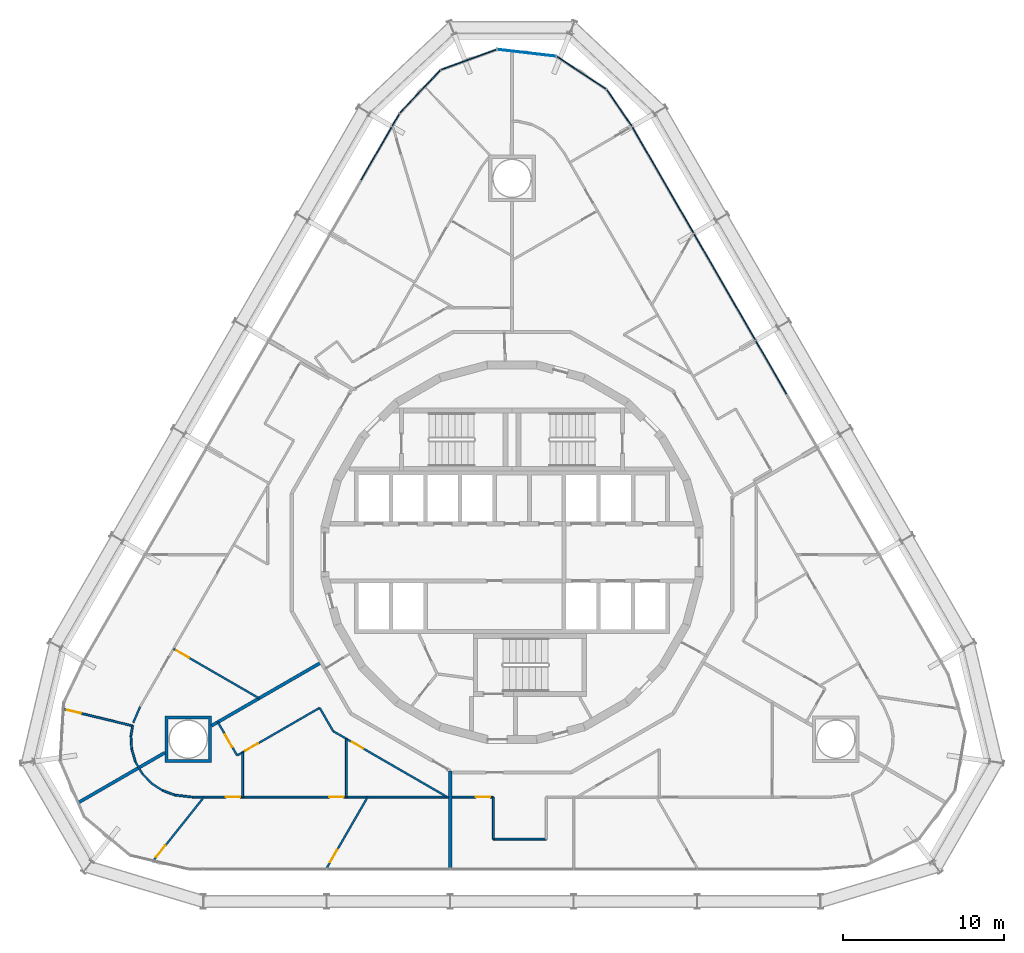
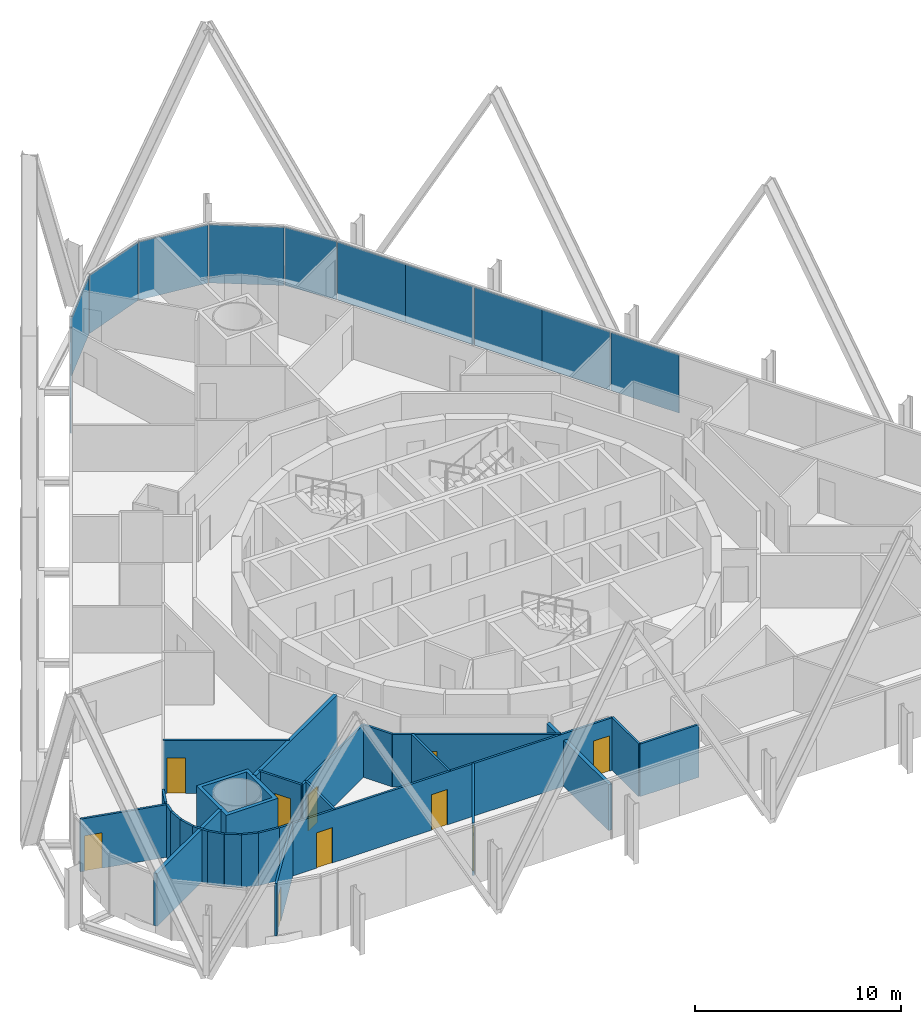
# One storey, part 14 of 21: 26 walls, 12 plates, 10 doors, 10 openings, 3 elements without a shape of their own.
"""IFC4 building model written with IfcOpenShell, lengths in metres."""

import ifcopenshell
import ifcopenshell.guid

model = None  # the IFC model being written
_history = None  # IfcOwnerHistory: only IFC2X3 demands one
_inside = {}  # id of a spatial element -> (the spatial element, [elements in it])
_under = {}  # id of a project, library or spatial element -> (it, [spatial elements below it])
_declared = {}  # id of a project -> (the project, [libraries it declares])
_typed = {}  # id of a type object -> (the type object, [elements of that type])
_made_of = {}  # id of a material, layer set ... -> (it, [elements and type objects made of it])


def new_model(schema):
    """Start an empty IFC model of exactly this schema.

    Asked for "IFC4X3", IfcOpenShell would pick the latest addendum, in which some entities
    have other attributes; the version numbers below select the first issue.
    IFC2X3 requires an IfcOwnerHistory on every rooted entity: one is made here for all.
    """
    global model, _history
    if schema == "IFC4X3":
        model = ifcopenshell.file(schema_version=(4, 3, 0, 0))
    else:
        model = ifcopenshell.file(schema=schema)
    _inside.clear()
    _under.clear()
    _declared.clear()
    _typed.clear()
    _made_of.clear()
    _history = None
    if model.schema == "IFC2X3":
        org = make("IfcOrganization", Name="unknown")
        user = make(
            "IfcPersonAndOrganization",
            ThePerson=make("IfcPerson", FamilyName="unknown"),
            TheOrganization=org,
        )
        app = make(
            "IfcApplication",
            ApplicationDeveloper=org,
            Version="unknown",
            ApplicationFullName="unknown",
            ApplicationIdentifier="unknown",
        )
        _history = make(
            "IfcOwnerHistory",
            OwningUser=user,
            OwningApplication=app,
            ChangeAction="ADDED",
            CreationDate=0,
        )
    return model


def make(cls, **values):
    """One entity of the class cls with the attributes given. An attribute that is None is left unset."""
    return model.create_entity(
        cls, **{name: value for name, value in values.items() if value is not None}
    )


def rooted(cls, **values):
    """An entity with a GlobalId (a new one), such as an element, a storey or a relation."""
    return make(cls, GlobalId=ifcopenshell.guid.new(), OwnerHistory=_history, **values)


def si_unit(unit_type, name, prefix=None):
    """IfcSIUnit, for example si_unit("LENGTHUNIT", "METRE", prefix="MILLI")."""
    return make("IfcSIUnit", UnitType=unit_type, Prefix=prefix, Name=name)


def assignment(units):
    """IfcUnitAssignment: the units of a project."""
    return None if units is None else make("IfcUnitAssignment", Units=units)


def point(xyz):
    """IfcCartesianPoint."""
    return None if xyz is None else make("IfcCartesianPoint", Coordinates=xyz)


def direction(xyz):
    """IfcDirection."""
    return None if xyz is None else make("IfcDirection", DirectionRatios=xyz)


def frame(location, z_axis=None, x_axis=None):
    """IfcAxis2Placement3D, a coordinate frame: its origin and axes. An axis left out is left unset."""
    return make(
        "IfcAxis2Placement3D",
        Location=point(location),
        Axis=direction(z_axis),
        RefDirection=direction(x_axis),
    )


def frame_2d(location, x_axis=None):
    """IfcAxis2Placement2D, a coordinate frame in the plane: its origin and x axis."""
    return make(
        "IfcAxis2Placement2D", Location=point(location), RefDirection=direction(x_axis)
    )


def origin():
    """The frame at (0, 0, 0) with its axes left unset."""
    return frame((0.0, 0.0, 0.0))


def origin_2d():
    """The frame at (0, 0) in the plane with its x axis left unset."""
    return frame_2d((0.0, 0.0))


def place(relative_to, where):
    """IfcLocalPlacement: puts the frame where relative to a parent placement (None: the world)."""
    return make(
        "IfcLocalPlacement", PlacementRelTo=relative_to, RelativePlacement=where
    )


def context(
    kind, dimensions, precision=None, world=None, true_north=None, identifier=None
):
    """IfcGeometricRepresentationContext, for example the 3D "Model" context."""
    return make(
        "IfcGeometricRepresentationContext",
        ContextIdentifier=identifier,
        ContextType=kind,
        CoordinateSpaceDimension=dimensions,
        Precision=precision,
        WorldCoordinateSystem=world,
        TrueNorth=true_north,
    )


def subcontext(parent, identifier, kind, view, scale=None):
    """IfcGeometricRepresentationSubContext, for example "Body" below "Model"."""
    return make(
        "IfcGeometricRepresentationSubContext",
        ContextIdentifier=identifier,
        ContextType=kind,
        ParentContext=parent,
        TargetScale=scale,
        TargetView=view,
    )


def project(units=None, contexts=None):
    """IfcProject with its units and contexts."""
    return rooted(
        "IfcProject",
        Name="project",
        RepresentationContexts=contexts,
        UnitsInContext=assignment(units),
    )


def spatial(cls, under=None, at=None, **own):
    """A site, building, storey or space (cls), placed at a placement, below another one or the project."""
    s = rooted(cls, ObjectPlacement=at, **own)
    if under is not None:
        _under.setdefault(under.id(), (under, []))[1].append(s)
    return s


def polyline(points):
    """IfcPolyline through the points."""
    return make("IfcPolyline", Points=[point(p) for p in points])


def profile(cls, at=None, kind="AREA", **sizes):
    """A parametric profile (cls). Its sizes go by their IFC names, for example OverallWidth=200.0."""
    return make(cls, ProfileType=kind, Position=at, **sizes)


def rectangle(**sizes):
    """IfcRectangleProfileDef."""
    return profile("IfcRectangleProfileDef", **sizes)


def outline(outer, holes=None, kind="AREA"):
    """IfcArbitraryClosedProfileDef: a profile drawn as a closed curve; with holes, ...WithVoids."""
    if holes is None:
        return make("IfcArbitraryClosedProfileDef", ProfileType=kind, OuterCurve=outer)
    return make(
        "IfcArbitraryProfileDefWithVoids",
        ProfileType=kind,
        OuterCurve=outer,
        InnerCurves=holes,
    )


def extrude(swept, where, along, depth):
    """IfcExtrudedAreaSolid: the profile swept, set in the frame where, extruded along a direction by depth."""
    return make(
        "IfcExtrudedAreaSolid",
        SweptArea=swept,
        Position=where,
        ExtrudedDirection=direction(along),
        Depth=depth,
    )


def shape(context_of_items, identifier, shape_type, items):
    """IfcShapeRepresentation: the items that make up one representation, for example the "Body"."""
    return make(
        "IfcShapeRepresentation",
        ContextOfItems=context_of_items,
        RepresentationIdentifier=identifier,
        RepresentationType=shape_type,
        Items=items,
    )


def material(Name=None, Category=None):
    """IfcMaterial."""
    return make("IfcMaterial", Name=Name, Category=Category)


def layer(
    of_material, thickness, ventilated=None, Name=None, Category=None, Priority=None
):
    """IfcMaterialLayer: one layer of a wall or slab, of a material (None: an air gap)."""
    return make(
        "IfcMaterialLayer",
        Material=of_material,
        LayerThickness=thickness,
        IsVentilated=ventilated,
        Name=Name,
        Category=Category,
        Priority=Priority,
    )


def layer_set(layers, Name=None):
    """IfcMaterialLayerSet."""
    return make("IfcMaterialLayerSet", MaterialLayers=layers, LayerSetName=Name)


def made_of(thing, what):
    """Note that an element or type object is made of a material, layer set ...; save() writes the relation."""
    if what is not None:
        _made_of.setdefault(what.id(), (what, []))[1].append(thing)
    return thing


def type_object(cls, material=None, **own):
    """A type object (cls), such as IfcWallType, which elements share."""
    return made_of(rooted(cls, **own), material)


def element(
    cls,
    number,
    at=None,
    inside=None,
    cuts=None,
    type_object=None,
    material=None,
    context=None,
    identifier="Body",
    shape_type=None,
    held_by="IfcProductDefinitionShape",
    body=None,
    shapes=None,
    **own,
):
    """One element of the class cls, such as IfcWall. Its Tag is "e" and its number.

    at: its placement. inside: the storey or other place that contains it. cuts: it is an
    opening in that element (IfcRelVoidsElement). A single representation is given by context,
    identifier, shape_type and body (its items); several are given by shapes. held_by: the class
    of the entity that holds the representations. save() writes the other relations.
    """
    e = rooted(cls, Tag="e%d" % number, ObjectPlacement=at, **own)
    if body is not None:
        shapes = [shape(context, identifier, shape_type, body)]
    if shapes is not None:
        e.Representation = make(held_by, Representations=shapes)
    if inside is not None:
        _inside.setdefault(inside.id(), (inside, []))[1].append(e)
    if cuts is not None:
        rooted(
            "IfcRelVoidsElement", RelatingBuildingElement=cuts, RelatedOpeningElement=e
        )
    if type_object is not None:
        _typed.setdefault(type_object.id(), (type_object, []))[1].append(e)
    return made_of(e, material)


def fill(opening, filler):
    """IfcRelFillsElement: the door or window that sits in an opening."""
    return rooted(
        "IfcRelFillsElement",
        RelatingOpeningElement=opening,
        RelatedBuildingElement=filler,
    )


def aggregate(whole, parts):
    """IfcRelAggregates: a whole, such as a stair, and the parts it consists of."""
    return rooted("IfcRelAggregates", RelatingObject=whole, RelatedObjects=parts)


def save(model, path):
    """Write the relations noted so far, then the file.

    IfcRelAggregates (storeys below a building ...), IfcRelContainedInSpatialStructure (elements
    in a storey), IfcRelDefinesByType, IfcRelAssociatesMaterial and IfcRelDeclares: one each for
    every whole, place, type object, material and project.
    """
    for whole, parts in _under.values():
        aggregate(whole, parts)
    for where, things in _inside.values():
        rooted(
            "IfcRelContainedInSpatialStructure",
            RelatedElements=things,
            RelatingStructure=where,
        )
    for kind, things in _typed.values():
        rooted("IfcRelDefinesByType", RelatedObjects=things, RelatingType=kind)
    for what, things in _made_of.values():
        rooted("IfcRelAssociatesMaterial", RelatedObjects=things, RelatingMaterial=what)
    for by, libraries in _declared.values():
        rooted("IfcRelDeclares", RelatingContext=by, RelatedDefinitions=libraries)
    model.write(path)


model = new_model("IFC4")

# Units and contexts
model_context = context("Model", 3, precision=1e-05, world=origin(), true_north=direction((0.0, 1.0)))
body_context = subcontext(model_context, "Body", "Model", "MODEL_VIEW")
ifc_project = project(units=[si_unit("LENGTHUNIT", "METRE"), si_unit("AREAUNIT", "SQUARE_METRE"), si_unit("VOLUMEUNIT", "CUBIC_METRE"), si_unit("PLANEANGLEUNIT", "RADIAN"), si_unit("MASSUNIT", "GRAM", prefix="KILO")], contexts=[model_context])

# Site, building, storey
site_placement = place(None, origin())
site = spatial("IfcSite", under=ifc_project, at=site_placement, CompositionType="ELEMENT")
building_placement = place(site_placement, origin())
building = spatial("IfcBuilding", under=site, at=building_placement, Name="Spindle Arch Residences", CompositionType="ELEMENT")
storey_placement = place(building_placement, frame((0.0, 0.0, 38.39990234375)))
storey = spatial("IfcBuildingStorey", under=building, at=storey_placement, Name="L07", CompositionType="ELEMENT", Elevation=38.39990234375)

# Curtain wall, plates
ifc_material_1 = material(Name="Aluminium bronze unitised frame with tinted glass", Category="aluminium")
ifc_layer_1 = layer(ifc_material_1, 0.159912109375)
ifc_layer_set_1 = layer_set([ifc_layer_1], Name="CW-C typical residential unitised wall")
curtain_wall_type_1 = type_object("IfcCurtainWallType", Name="CW-C typical residential unitised wall", PredefinedType="NOTDEFINED", material=ifc_layer_set_1)
curtain_wall_1_placement = place(storey_placement, origin())
curtain_wall_1 = element("IfcCurtainWall", 1, at=curtain_wall_1_placement, inside=storey, type_object=curtain_wall_type_1, Name="CW-C L07 run 2", PredefinedType="NOTDEFINED")
ifc_material_2 = material(Name="Tinted double glazing over aluminium faced non-combustible spandrel zone (K0)", Category="aluminium")
ifc_layer_2 = layer(ifc_material_2, 0.06005859375)
ifc_layer_set_2 = layer_set([ifc_layer_2], Name="Unitised glass panel with E 60 spandrel zone")
plate_type = type_object("IfcPlateType", Name="Unitised glass panel with E 60 spandrel zone", PredefinedType="CURTAIN_PANEL", material=ifc_layer_set_2)
plate_1_placement = place(storey_placement, frame((16.11669921875, 11.504638671875, -0.44970703125), z_axis=(0.0, 0.0, 1.0), x_axis=(-0.5, 0.866025403784, 0.0)))
plate_1 = element("IfcPlate", 2, at=plate_1_placement, type_object=plate_type, Name="CW-C unit 07B", PredefinedType="CURTAIN_PANEL", context=body_context, shape_type="SweptSolid", body=[
    extrude(rectangle(XDim=3.81005859375, YDim=0.06005859375, at=origin_2d()), origin(), (0.0, 0.0, 1.0), 3.449951171875),
])
plate_2_placement = place(storey_placement, frame((14.181640625, 14.856201171875, -0.44970703125), z_axis=(0.0, 0.0, 1.0), x_axis=(-0.5, 0.866025403784, 0.0)))
plate_2 = element("IfcPlate", 3, at=plate_2_placement, type_object=plate_type, Name="CW-C unit 08A", PredefinedType="CURTAIN_PANEL", context=body_context, shape_type="SweptSolid", body=[
    extrude(rectangle(XDim=3.81005859375, YDim=0.06005859375, at=origin_2d()), origin(), (0.0, 0.0, 1.0), 3.449951171875),
])
plate_3_placement = place(storey_placement, frame((12.27685546875, 18.156005859375, -0.44970703125), z_axis=(0.0, 0.0, 1.0), x_axis=(-0.5, 0.866025403784, 0.0)))
plate_3 = element("IfcPlate", 4, at=plate_3_placement, type_object=plate_type, Name="CW-C unit 08B", PredefinedType="CURTAIN_PANEL", context=body_context, shape_type="SweptSolid", body=[
    extrude(rectangle(XDim=3.81005859375, YDim=0.06005859375, at=origin_2d()), origin(), (0.0, 0.0, 1.0), 3.449951171875),
])
plate_4_placement = place(storey_placement, frame((10.341796875, 21.50732421875, -0.44970703125), z_axis=(0.0, 0.0, 1.0), x_axis=(-0.5, 0.866025403784, 0.0)))
plate_4 = element("IfcPlate", 5, at=plate_4_placement, type_object=plate_type, Name="CW-C unit 09A", PredefinedType="CURTAIN_PANEL", context=body_context, shape_type="SweptSolid", body=[
    extrude(rectangle(XDim=3.81005859375, YDim=0.06005859375, at=origin_2d()), origin(), (0.0, 0.0, 1.0), 3.449951171875),
])
plate_5_placement = place(storey_placement, frame((8.436767578125, 24.80712890625, -0.44970703125), z_axis=(0.0, 0.0, 1.0), x_axis=(-0.5, 0.866025403784, 0.0)))
plate_5 = element("IfcPlate", 6, at=plate_5_placement, type_object=plate_type, Name="CW-C unit 09B", PredefinedType="CURTAIN_PANEL", context=body_context, shape_type="SweptSolid", body=[
    extrude(rectangle(XDim=3.81005859375, YDim=0.06005859375, at=origin_2d()), origin(), (0.0, 0.0, 1.0), 3.449951171875),
])
aggregate(curtain_wall_1, [plate_1, plate_2, plate_3, plate_4, plate_5])

ifc_material_3 = material(Name="Aluminium bronze unitised frame with tinted glass", Category="aluminium")
ifc_layer_3 = layer(ifc_material_3, 0.159912109375)
ifc_layer_set_3 = layer_set([ifc_layer_3], Name="CW-D corner wall on the fillet arcs")
curtain_wall_type_2 = type_object("IfcCurtainWallType", Name="CW-D corner wall on the fillet arcs", PredefinedType="NOTDEFINED", material=ifc_layer_set_3)
curtain_wall_2_placement = place(storey_placement, origin())
curtain_wall_2 = element("IfcCurtainWall", 7, at=curtain_wall_2_placement, inside=storey, type_object=curtain_wall_type_2, Name="CW-D L07 run 3", PredefinedType="NOTDEFINED")
plate_6_placement = place(storey_placement, frame((6.673095703125, 27.643798828125, -0.44970703125), z_axis=(0.0, 0.0, 1.0), x_axis=(-0.565500718711, 0.824747802142, 0.0)))
plate_6 = element("IfcPlate", 8, at=plate_6_placement, type_object=plate_type, Name="CW-D unit 00", PredefinedType="CURTAIN_PANEL", context=body_context, shape_type="SweptSolid", body=[
    extrude(rectangle(XDim=2.755126953125, YDim=0.06005859375, at=origin_2d()), origin(), (0.0, 0.0, 1.0), 3.449951171875),
])
plate_7_placement = place(storey_placement, frame((4.3203125, 29.82861328125, -0.44970703125), z_axis=(0.0, 0.0, 1.0), x_axis=(-0.835487811704, 0.549508977628, 0.0)))
plate_7 = element("IfcPlate", 9, at=plate_7_placement, type_object=plate_type, Name="CW-D unit 01", PredefinedType="CURTAIN_PANEL", context=body_context, shape_type="SweptSolid", body=[
    extrude(rectangle(XDim=3.666748046875, YDim=0.06005859375, at=origin_2d()), origin(), (0.0, 0.0, 1.0), 3.449951171875),
])
plate_8_placement = place(storey_placement, frame((0.912841796875, 31.06884765625, -0.44970703125), z_axis=(0.0, 0.0, 1.0), x_axis=(-0.993238357591, 0.116092915414, 0.0)))
plate_8 = element("IfcPlate", 10, at=plate_8_placement, type_object=plate_type, Name="CW-D unit 02", PredefinedType="CURTAIN_PANEL", context=body_context, shape_type="SweptSolid", body=[
    extrude(rectangle(XDim=3.666748046875, YDim=0.06005859375, at=origin_2d()), origin(), (0.0, 0.0, 1.0), 3.449951171875),
])
plate_9_placement = place(storey_placement, frame((-2.68896484375, 30.64794921875, -0.44970703125), z_axis=(0.0, 0.0, 1.0), x_axis=(-0.939692621437, -0.342020141538, 0.0)))
plate_9 = element("IfcPlate", 11, at=plate_9_placement, type_object=plate_type, Name="CW-D unit 03", PredefinedType="CURTAIN_PANEL", context=body_context, shape_type="SweptSolid", body=[
    extrude(rectangle(XDim=3.666748046875, YDim=0.06005859375, at=origin_2d()), origin(), (0.0, 0.0, 1.0), 3.449951171875),
])
plate_10_placement = place(storey_placement, frame((-5.71875, 28.6552734375, -0.44970703125), z_axis=(0.0, 0.0, 1.0), x_axis=(-0.686241639236, -0.727373640284, 0.0)))
plate_10 = element("IfcPlate", 12, at=plate_10_placement, type_object=plate_type, Name="CW-D unit 04", PredefinedType="CURTAIN_PANEL", context=body_context, shape_type="SweptSolid", body=[
    extrude(rectangle(XDim=3.666748046875, YDim=0.06005859375, at=origin_2d()), origin(), (0.0, 0.0, 1.0), 3.449951171875),
])
plate_11_placement = place(storey_placement, frame((-7.2333984375, 26.891357421875, -0.44970703125), z_axis=(0.0, 0.0, 1.0), x_axis=(-0.5, -0.866025403784, 0.0)))
plate_11 = element("IfcPlate", 13, at=plate_11_placement, type_object=plate_type, Name="CW-D unit 05", PredefinedType="CURTAIN_PANEL", context=body_context, shape_type="SweptSolid", body=[
    extrude(rectangle(XDim=0.88330078125, YDim=0.06005859375, at=origin_2d()), origin(), (0.0, 0.0, 1.0), 3.449951171875),
])
aggregate(curtain_wall_2, [plate_6, plate_7, plate_8, plate_9, plate_10, plate_11])

# Curtain wall, plate
curtain_wall_3_placement = place(storey_placement, origin())
curtain_wall_3 = element("IfcCurtainWall", 14, at=curtain_wall_3_placement, inside=storey, type_object=curtain_wall_type_1, Name="CW-C L07 run 4", PredefinedType="NOTDEFINED")
plate_12_placement = place(storey_placement, frame((-8.436767578125, 24.80712890625, -0.44970703125), z_axis=(0.0, 0.0, 1.0), x_axis=(-0.5, -0.866025403784, 0.0)))
plate_12 = element("IfcPlate", 15, at=plate_12_placement, type_object=plate_type, Name="CW-C unit 13A", PredefinedType="CURTAIN_PANEL", context=body_context, shape_type="SweptSolid", body=[
    extrude(rectangle(XDim=3.81005859375, YDim=0.06005859375, at=origin_2d()), origin(), (0.0, 0.0, 1.0), 3.449951171875),
])
aggregate(curtain_wall_3, [plate_12])

# Wall, opening, door
ifc_material_4 = material(Name="Plasterboard on steel studs", Category="steel")
ifc_layer_4 = layer(ifc_material_4, 0.1201171875)
ifc_layer_set_4 = layer_set([ifc_layer_4], Name="Flat partition 120")
wall_type_1 = type_object("IfcWallType", Name="Flat partition 120", PredefinedType="PARTITIONING", material=ifc_layer_set_4)
wall_1_placement = place(storey_placement, frame((-21.05517578125, -6.0087890625, 0.0), z_axis=(0.0, 0.0, 1.0), x_axis=(0.866030172657, -0.49999173998, 0.0)))
wall_1 = element("IfcWall", 16, at=wall_1_placement, inside=storey, type_object=wall_type_1, Name="Flat partition R1A0-W063", PredefinedType="PARTITIONING", context=body_context, shape_type="SweptSolid", body=[
    extrude(rectangle(XDim=6.1474609375, YDim=0.1201171875, at=frame_2d((3.07373046875, 0.0))), origin(), (0.0, 0.0, 1.0), 3.1201171875),
])
opening_1_placement = place(wall_1_placement, frame((0.199951171875, 0.0, 0.0)))
opening_1 = element("IfcOpeningElement", 17, at=opening_1_placement, cuts=wall_1, Name="Opening R1A0-ID14", PredefinedType="OPENING", context=body_context, shape_type="SweptSolid", body=[
    extrude(rectangle(XDim=0.89990234375, YDim=2.10009765625, at=frame_2d((0.449951171875, 1.050048828125))), frame((0.0, 0.070068359375, 0.0), z_axis=(0.0, -1.0, 0.0), x_axis=(1.0, 0.0, 0.0)), (0.0, 0.0, 1.0), 0.14013671875),
])
ifc_material_5 = material(Name="Timber door set", Category="wood")
door_type_1 = type_object("IfcDoorType", Name="Room door 900x2100", OperationType="NOTDEFINED", PredefinedType="DOOR", material=ifc_material_5)
door_1_placement = place(opening_1_placement, origin())
door_1 = element("IfcDoor", 18, at=door_1_placement, inside=storey, type_object=door_type_1, Name="Room door R1A0-ID14", OperationType="SINGLE_SWING_RIGHT", OverallHeight=2.10009765625, OverallWidth=0.89990234375, PredefinedType="DOOR", context=body_context, shape_type="SweptSolid", body=[
    extrude(rectangle(XDim=0.89990234375, YDim=2.10009765625, at=frame_2d((0.449951171875, 1.050048828125))), frame((0.0, 0.02490234375, 0.0), z_axis=(0.0, -1.0, 0.0), x_axis=(1.0, 0.0, 0.0)), (0.0, 0.0, 1.0), 0.050048828125),
])
fill(opening_1, door_1)

# Wall
wall_2_placement = place(storey_placement, frame((-23.563720703125, -10.60595703125, 0.0), z_axis=(0.0, 0.0, 1.0), x_axis=(0.396195073027, 0.918166359713, 0.0)))
element("IfcWall", 19, at=wall_2_placement, inside=storey, type_object=wall_type_1, Name="Flat partition R1A0-W066", PredefinedType="PARTITIONING", context=body_context, shape_type="SweptSolid", body=[
    extrude(rectangle(XDim=1.0869140625, YDim=0.1201171875, at=frame_2d((0.54345703125, 0.0))), origin(), (0.0, 0.0, 1.0), 3.1201171875),
])

# Wall, opening, door
wall_3_placement = place(storey_placement, frame((-27.8828125, -9.76220703125, 0.0), z_axis=(0.0, 0.0, 1.0), x_axis=(0.972097015458, -0.234579181809, 0.0)))
wall_3 = element("IfcWall", 20, at=wall_3_placement, inside=storey, type_object=wall_type_1, Name="Flat partition R1A0-W067", PredefinedType="PARTITIONING", context=body_context, shape_type="SweptSolid", body=[
    extrude(rectangle(XDim=4.40869140625, YDim=0.1201171875, at=frame_2d((2.204345703125, 0.0))), origin(), (0.0, 0.0, 1.0), 3.1201171875),
])
opening_2_placement = place(wall_3_placement, frame((0.199951171875, 0.0, 0.0)))
opening_2 = element("IfcOpeningElement", 21, at=opening_2_placement, cuts=wall_3, Name="Opening R1A0-ID16", PredefinedType="OPENING", context=body_context, shape_type="SweptSolid", body=[
    extrude(rectangle(XDim=0.89990234375, YDim=2.10009765625, at=frame_2d((0.449951171875, 1.050048828125))), frame((0.0, 0.070068359375, 0.0), z_axis=(0.0, -1.0, 0.0), x_axis=(1.0, 0.0, 0.0)), (0.0, 0.0, 1.0), 0.14013671875),
])
door_2_placement = place(opening_2_placement, origin())
door_2 = element("IfcDoor", 22, at=door_2_placement, inside=storey, type_object=door_type_1, Name="Room door R1A0-ID16", OperationType="SINGLE_SWING_RIGHT", OverallHeight=2.10009765625, OverallWidth=0.89990234375, PredefinedType="DOOR", context=body_context, shape_type="SweptSolid", body=[
    extrude(rectangle(XDim=0.89990234375, YDim=2.10009765625, at=frame_2d((0.449951171875, 1.050048828125))), frame((0.0, 0.02490234375, 0.0), z_axis=(0.0, -1.0, 0.0), x_axis=(1.0, 0.0, 0.0)), (0.0, 0.0, 1.0), 0.050048828125),
])
fill(opening_2, door_2)

# Walls
wall_4_placement = place(storey_placement, frame((-23.59716796875, -10.79638671875, 0.0), z_axis=(0.0, 0.0, 1.0), x_axis=(-0.173610040386, -0.984814476882, 0.0)))
element("IfcWall", 23, at=wall_4_placement, inside=storey, type_object=wall_type_1, Name="Flat partition R1A0-W068", PredefinedType="PARTITIONING", context=body_context, shape_type="SweptSolid", body=[
    extrude(rectangle(XDim=0.6357421875, YDim=0.1201171875, at=frame_2d((0.31787109375, 0.0))), origin(), (0.0, 0.0, 1.0), 3.1201171875),
])
wall_5_placement = place(storey_placement, frame((-23.70751953125, -11.42236328125, 0.0), z_axis=(0.0, 0.0, 1.0), x_axis=(0.058031280246, -0.998314765248, 0.0)))
element("IfcWall", 24, at=wall_5_placement, inside=storey, type_object=wall_type_1, Name="Flat partition R1A0-W069", PredefinedType="PARTITIONING", context=body_context, shape_type="SweptSolid", body=[
    extrude(rectangle(XDim=0.828857421875, YDim=0.1201171875, at=frame_2d((0.41455078125, 0.0))), origin(), (0.0, 0.0, 1.0), 3.1201171875),
])
for number, where, z_axis, x_axis, name in (
    (25, (-23.659423828125, -12.249755859375, 0.0), (0.0, 0.0, 1.0), (0.286834510868, -0.957980147694, 0.0), "Flat partition R1A0-W070"),
    (26, (-23.421630859375, -13.0439453125, 0.0), (0.0, 0.0, 1.0), (0.500002839747, -0.86602376425, 0.0), "Flat partition R1A0-W071"),
):
    element("IfcWall", number, at=place(storey_placement, frame(where, z_axis=z_axis, x_axis=x_axis)), inside=storey, type_object=wall_type_1, Name=name, PredefinedType="PARTITIONING", context=body_context, shape_type="SweptSolid", body=[
        extrude(rectangle(XDim=0.8291015625, YDim=0.1201171875, at=frame_2d((0.41455078125, 0.0))), origin(), (0.0, 0.0, 1.0), 3.1201171875),
    ])

# Wall, opening, door
wall_6_placement = place(storey_placement, frame((-18.297607421875, -10.564208984375, 0.0), z_axis=(0.0, 0.0, 1.0), x_axis=(0.500048565365, -0.865997362742, 0.0)))
wall_6 = element("IfcWall", 27, at=wall_6_placement, inside=storey, type_object=wall_type_1, Name="Flat partition R1A0-W072", PredefinedType="PARTITIONING", context=body_context, shape_type="SweptSolid", body=[
    extrude(rectangle(XDim=2.397705078125, YDim=0.1201171875, at=frame_2d((1.19873046875, 0.0))), origin(), (0.0, 0.0, 1.0), 3.1201171875),
])
opening_3_placement = place(wall_6_placement, frame((0.89990234375, 0.0, 0.0)))
opening_3 = element("IfcOpeningElement", 28, at=opening_3_placement, cuts=wall_6, Name="Opening R1A0-ID18", PredefinedType="OPENING", context=body_context, shape_type="SweptSolid", body=[
    extrude(rectangle(XDim=0.89990234375, YDim=2.10009765625, at=frame_2d((0.449951171875, 1.050048828125))), frame((0.0, 0.070068359375, 0.0), z_axis=(0.0, -1.0, 0.0), x_axis=(1.0, 0.0, 0.0)), (0.0, 0.0, 1.0), 0.14013671875),
])
door_3_placement = place(opening_3_placement, origin())
door_3 = element("IfcDoor", 29, at=door_3_placement, inside=storey, type_object=door_type_1, Name="Room door R1A0-ID18", OperationType="SINGLE_SWING_LEFT", OverallHeight=2.10009765625, OverallWidth=0.89990234375, PredefinedType="DOOR", context=body_context, shape_type="SweptSolid", body=[
    extrude(rectangle(XDim=0.89990234375, YDim=2.10009765625, at=frame_2d((0.449951171875, 1.050048828125))), frame((0.0, 0.02490234375, 0.0), z_axis=(0.0, -1.0, 0.0), x_axis=(1.0, 0.0, 0.0)), (0.0, 0.0, 1.0), 0.050048828125),
])
fill(opening_3, door_3)

wall_7_placement = place(storey_placement, frame((-17.0986328125, -12.640625, 0.0), z_axis=(0.0, 0.0, 1.0), x_axis=(0.866027165828, 0.499996948039, 0.0)))
wall_7 = element("IfcWall", 30, at=wall_7_placement, inside=storey, type_object=wall_type_1, Name="Flat partition R1A0-W073", PredefinedType="PARTITIONING", context=body_context, shape_type="SweptSolid", body=[
    extrude(rectangle(XDim=5.92822265625, YDim=0.1201171875, at=frame_2d((2.964111328125, 0.0))), origin(), (0.0, 0.0, 1.0), 3.1201171875),
])
opening_4_placement = place(wall_7_placement, frame((0.59521484375, 0.0, 0.0)))
opening_4 = element("IfcOpeningElement", 31, at=opening_4_placement, cuts=wall_7, Name="Opening R1A0-ID19", PredefinedType="OPENING", context=body_context, shape_type="SweptSolid", body=[
    extrude(rectangle(XDim=0.89990234375, YDim=2.10009765625, at=frame_2d((0.449951171875, 1.050048828125))), frame((0.0, 0.070068359375, 0.0), z_axis=(0.0, -1.0, 0.0), x_axis=(1.0, 0.0, 0.0)), (0.0, 0.0, 1.0), 0.14013671875),
])
door_4_placement = place(opening_4_placement, origin())
door_4 = element("IfcDoor", 32, at=door_4_placement, inside=storey, type_object=door_type_1, Name="Room door R1A0-ID19", OperationType="SINGLE_SWING_LEFT", OverallHeight=2.10009765625, OverallWidth=0.89990234375, PredefinedType="DOOR", context=body_context, shape_type="SweptSolid", body=[
    extrude(rectangle(XDim=0.89990234375, YDim=2.10009765625, at=frame_2d((0.449951171875, 1.050048828125))), frame((0.0, 0.02490234375, 0.0), z_axis=(0.0, -1.0, 0.0), x_axis=(1.0, 0.0, 0.0)), (0.0, 0.0, 1.0), 0.050048828125),
])
fill(opening_4, door_4)

# Wall
wall_8_placement = place(storey_placement, frame((-11.964599609375, -9.676513671875, 0.0), z_axis=(0.0, 0.0, 1.0), x_axis=(0.499932737185, -0.866064234506, 0.0)))
element("IfcWall", 33, at=wall_8_placement, inside=storey, type_object=wall_type_1, Name="Flat partition R1A0-W074", PredefinedType="PARTITIONING", context=body_context, shape_type="SweptSolid", body=[
    extrude(rectangle(XDim=1.675048828125, YDim=0.1201171875, at=frame_2d((0.83740234375, 0.0))), origin(), (0.0, 0.0, 1.0), 3.1201171875),
])

# Wall, opening, door
wall_9_placement = place(storey_placement, frame((-11.127197265625, -11.127197265625, 0.0), z_axis=(0.0, 0.0, 1.0), x_axis=(0.866032360344, -0.499987950692, 0.0)))
wall_9 = element("IfcWall", 34, at=wall_9_placement, inside=storey, type_object=wall_type_1, Name="Flat partition R1A0-W075", PredefinedType="PARTITIONING", context=body_context, shape_type="SweptSolid", body=[
    extrude(rectangle(XDim=8.145751953125, YDim=0.1201171875, at=frame_2d((4.07275390625, 0.0))), origin(), (0.0, 0.0, 1.0), 3.1201171875),
])
opening_5_placement = place(wall_9_placement, frame((1.357177734375, 0.0, 0.0)))
opening_5 = element("IfcOpeningElement", 35, at=opening_5_placement, cuts=wall_9, Name="Opening R1A0-BD05", PredefinedType="OPENING", context=body_context, shape_type="SweptSolid", body=[
    extrude(rectangle(XDim=0.800048828125, YDim=2.10009765625, at=frame_2d((0.39990234375, 1.050048828125))), frame((0.0, 0.070068359375, 0.0), z_axis=(0.0, -1.0, 0.0), x_axis=(1.0, 0.0, 0.0)), (0.0, 0.0, 1.0), 0.14013671875),
])
ifc_material_6 = material(Name="Timber door set", Category="wood")
door_type_2 = type_object("IfcDoorType", Name="Bathroom door 800x2100", OperationType="NOTDEFINED", PredefinedType="DOOR", material=ifc_material_6)
door_5_placement = place(opening_5_placement, origin())
door_5 = element("IfcDoor", 36, at=door_5_placement, inside=storey, type_object=door_type_2, Name="Bathroom door R1A0-BD05", OperationType="SINGLE_SWING_LEFT", OverallHeight=2.10009765625, OverallWidth=0.800048828125, PredefinedType="DOOR", context=body_context, shape_type="SweptSolid", body=[
    extrude(rectangle(XDim=0.800048828125, YDim=2.10009765625, at=frame_2d((0.39990234375, 1.050048828125))), frame((0.0, 0.02490234375, 0.0), z_axis=(0.0, -1.0, 0.0), x_axis=(1.0, 0.0, 0.0)), (0.0, 0.0, 1.0), 0.050048828125),
])
fill(opening_5, door_5)

# Wall, openings, doors
wall_10_placement = place(storey_placement, frame((-1.161376953125, -15.22998046875, 0.0), z_axis=(0.0, 0.0, 1.0), x_axis=(-1.0, 0.0, 0.0)))
wall_10 = element("IfcWall", 37, at=wall_10_placement, inside=storey, type_object=wall_type_1, Name="Flat partition R1A0-W076", PredefinedType="PARTITIONING", context=body_context, shape_type="SweptSolid", body=[
    extrude(rectangle(XDim=18.72607421875, YDim=0.1201171875, at=frame_2d((9.363037109375, 0.0))), origin(), (0.0, 0.0, 1.0), 3.1201171875),
])
opening_6_placement = place(wall_10_placement, frame((9.296875, 0.0, 0.0)))
opening_6 = element("IfcOpeningElement", 38, at=opening_6_placement, cuts=wall_10, Name="Opening R1A0-ID20", PredefinedType="OPENING", context=body_context, shape_type="SweptSolid", body=[
    extrude(rectangle(XDim=0.89990234375, YDim=2.10009765625, at=frame_2d((0.449951171875, 1.050048828125))), frame((0.0, 0.070068359375, 0.0), z_axis=(0.0, -1.0, 0.0), x_axis=(1.0, 0.0, 0.0)), (0.0, 0.0, 1.0), 0.14013671875),
])
opening_7_placement = place(wall_10_placement, frame((15.7548828125, 0.0, 0.0)))
opening_7 = element("IfcOpeningElement", 39, at=opening_7_placement, cuts=wall_10, Name="Opening R1A0-ID23", PredefinedType="OPENING", context=body_context, shape_type="SweptSolid", body=[
    extrude(rectangle(XDim=0.89990234375, YDim=2.10009765625, at=frame_2d((0.449951171875, 1.050048828125))), frame((0.0, 0.070068359375, 0.0), z_axis=(0.0, -1.0, 0.0), x_axis=(1.0, 0.0, 0.0)), (0.0, 0.0, 1.0), 0.14013671875),
])
opening_8_placement = place(wall_10_placement, frame((0.199951171875, 0.0, 0.0)))
opening_8 = element("IfcOpeningElement", 40, at=opening_8_placement, cuts=wall_10, Name="Opening R1A0-ID24", PredefinedType="OPENING", context=body_context, shape_type="SweptSolid", body=[
    extrude(rectangle(XDim=0.89990234375, YDim=2.10009765625, at=frame_2d((0.449951171875, 1.050048828125))), frame((0.0, 0.070068359375, 0.0), z_axis=(0.0, -1.0, 0.0), x_axis=(1.0, 0.0, 0.0)), (0.0, 0.0, 1.0), 0.14013671875),
])
door_6_placement = place(opening_6_placement, origin())
door_6 = element("IfcDoor", 41, at=door_6_placement, inside=storey, type_object=door_type_1, Name="Room door R1A0-ID20", OperationType="SINGLE_SWING_LEFT", OverallHeight=2.10009765625, OverallWidth=0.89990234375, PredefinedType="DOOR", context=body_context, shape_type="SweptSolid", body=[
    extrude(rectangle(XDim=0.89990234375, YDim=2.10009765625, at=frame_2d((0.449951171875, 1.050048828125))), frame((0.0, 0.02490234375, 0.0), z_axis=(0.0, -1.0, 0.0), x_axis=(1.0, 0.0, 0.0)), (0.0, 0.0, 1.0), 0.050048828125),
])
fill(opening_6, door_6)
door_7_placement = place(opening_7_placement, origin())
door_7 = element("IfcDoor", 42, at=door_7_placement, inside=storey, type_object=door_type_1, Name="Room door R1A0-ID23", OperationType="SINGLE_SWING_RIGHT", OverallHeight=2.10009765625, OverallWidth=0.89990234375, PredefinedType="DOOR", context=body_context, shape_type="SweptSolid", body=[
    extrude(rectangle(XDim=0.89990234375, YDim=2.10009765625, at=frame_2d((0.449951171875, 1.050048828125))), frame((0.0, 0.02490234375, 0.0), z_axis=(0.0, -1.0, 0.0), x_axis=(1.0, 0.0, 0.0)), (0.0, 0.0, 1.0), 0.050048828125),
])
fill(opening_7, door_7)
door_8_placement = place(opening_8_placement, origin())
door_8 = element("IfcDoor", 43, at=door_8_placement, inside=storey, type_object=door_type_1, Name="Room door R1A0-ID24", OperationType="SINGLE_SWING_LEFT", OverallHeight=2.10009765625, OverallWidth=0.89990234375, PredefinedType="DOOR", context=body_context, shape_type="SweptSolid", body=[
    extrude(rectangle(XDim=0.89990234375, YDim=2.10009765625, at=frame_2d((0.449951171875, 1.050048828125))), frame((0.0, 0.02490234375, 0.0), z_axis=(0.0, -1.0, 0.0), x_axis=(1.0, 0.0, 0.0)), (0.0, 0.0, 1.0), 0.050048828125),
])
fill(opening_8, door_8)

# Walls
wall_11_placement = place(storey_placement, frame((-19.887451171875, -15.22998046875, 0.0), z_axis=(0.0, 0.0, 1.0), x_axis=(-0.993231641151, 0.116150363826, 0.0)))
element("IfcWall", 44, at=wall_11_placement, inside=storey, type_object=wall_type_1, Name="Flat partition R1A0-W077", PredefinedType="PARTITIONING", context=body_context, shape_type="SweptSolid", body=[
    extrude(rectangle(XDim=1.086669921875, YDim=0.1201171875, at=frame_2d((0.54345703125, 0.0))), origin(), (0.0, 0.0, 1.0), 3.1201171875),
])
for number, where, z_axis, x_axis, name in (
    (45, (-20.966796875, -15.103759765625, 0.0), (0.0, 0.0, 1.0), (-0.939733220174, 0.341908576817, 0.0), "Flat partition R1A0-W078"),
    (46, (-21.745849609375, -14.8203125, 0.0), (0.0, 0.0, 1.0), (-0.835477570013, 0.549524549046, 0.0), "Flat partition R1A0-W079"),
):
    element("IfcWall", number, at=place(storey_placement, frame(where, z_axis=z_axis, x_axis=x_axis)), inside=storey, type_object=wall_type_1, Name=name, PredefinedType="PARTITIONING", context=body_context, shape_type="SweptSolid", body=[
        extrude(rectangle(XDim=0.8291015625, YDim=0.1201171875, at=frame_2d((0.41455078125, 0.0))), origin(), (0.0, 0.0, 1.0), 3.1201171875),
    ])
wall_12_placement = place(storey_placement, frame((-22.4384765625, -14.36474609375, 0.0), z_axis=(0.0, 0.0, 1.0), x_axis=(-0.686182189596, 0.727429723535, 0.0)))
element("IfcWall", 47, at=wall_12_placement, inside=storey, type_object=wall_type_1, Name="Flat partition R1A0-W080", PredefinedType="PARTITIONING", context=body_context, shape_type="SweptSolid", body=[
    extrude(rectangle(XDim=0.82861328125, YDim=0.1201171875, at=frame_2d((0.414306640625, 0.0))), origin(), (0.0, 0.0, 1.0), 3.1201171875),
])

# Wall, opening, door
wall_13_placement = place(storey_placement, frame((-22.38134765625, -19.271240234375, 0.0), z_axis=(0.0, 0.0, 1.0), x_axis=(0.623126488551, 0.782121077114, 0.0)))
wall_13 = element("IfcWall", 48, at=wall_13_placement, inside=storey, type_object=wall_type_1, Name="Flat partition R1A0-W081", PredefinedType="PARTITIONING", context=body_context, shape_type="SweptSolid", body=[
    extrude(rectangle(XDim=5.1669921875, YDim=0.1201171875, at=frame_2d((2.58349609375, 0.0))), origin(), (0.0, 0.0, 1.0), 3.1201171875),
])
opening_9_placement = place(wall_13_placement, frame((0.39990234375, 0.0, 0.0)))
opening_9 = element("IfcOpeningElement", 49, at=opening_9_placement, cuts=wall_13, Name="Opening R1A0-ID21", PredefinedType="OPENING", context=body_context, shape_type="SweptSolid", body=[
    extrude(rectangle(XDim=0.89990234375, YDim=2.10009765625, at=frame_2d((0.449951171875, 1.050048828125))), frame((0.0, 0.070068359375, 0.0), z_axis=(0.0, -1.0, 0.0), x_axis=(1.0, 0.0, 0.0)), (0.0, 0.0, 1.0), 0.14013671875),
])
door_9_placement = place(opening_9_placement, origin())
door_9 = element("IfcDoor", 50, at=door_9_placement, inside=storey, type_object=door_type_1, Name="Room door R1A0-ID21", OperationType="SINGLE_SWING_LEFT", OverallHeight=2.10009765625, OverallWidth=0.89990234375, PredefinedType="DOOR", context=body_context, shape_type="SweptSolid", body=[
    extrude(rectangle(XDim=0.89990234375, YDim=2.10009765625, at=frame_2d((0.449951171875, 1.050048828125))), frame((0.0, 0.02490234375, 0.0), z_axis=(0.0, -1.0, 0.0), x_axis=(1.0, 0.0, 0.0)), (0.0, 0.0, 1.0), 0.050048828125),
])
fill(opening_9, door_9)

# Walls
wall_14_placement = place(storey_placement, frame((-16.75634765625, -15.22998046875, 0.0), z_axis=(0.0, 0.0, 1.0), x_axis=(0.0, 1.0, 0.0)))
element("IfcWall", 51, at=wall_14_placement, inside=storey, type_object=wall_type_1, Name="Flat partition R1A0-W082", PredefinedType="PARTITIONING", context=body_context, shape_type="SweptSolid", body=[
    extrude(rectangle(XDim=2.786865234375, YDim=0.1201171875, at=frame_2d((1.3935546875, 0.0))), origin(), (0.0, 0.0, 1.0), 3.1201171875),
])
wall_15_placement = place(storey_placement, frame((-10.298095703125, -15.22998046875, 0.0), z_axis=(0.0, 0.0, 1.0), x_axis=(0.0, 1.0, 0.0)))
element("IfcWall", 52, at=wall_15_placement, inside=storey, type_object=wall_type_1, Name="Flat partition R1A0-W083", PredefinedType="PARTITIONING", context=body_context, shape_type="SweptSolid", body=[
    extrude(rectangle(XDim=3.624267578125, YDim=0.1201171875, at=frame_2d((1.81201171875, 0.0))), origin(), (0.0, 0.0, 1.0), 3.1201171875),
])

# Wall, opening, door
wall_16_placement = place(storey_placement, frame((-11.52001953125, -19.6298828125, 0.0), z_axis=(0.0, 0.0, 1.0), x_axis=(0.499999763888, 0.866025540104, 0.0)))
wall_16 = element("IfcWall", 53, at=wall_16_placement, inside=storey, type_object=wall_type_1, Name="Flat partition R1A0-W084", PredefinedType="PARTITIONING", context=body_context, shape_type="SweptSolid", body=[
    extrude(rectangle(XDim=5.08056640625, YDim=0.1201171875, at=frame_2d((2.540283203125, 0.0))), origin(), (0.0, 0.0, 1.0), 3.1201171875),
])
opening_10_placement = place(wall_16_placement, frame((0.39990234375, 0.0, 0.0)))
opening_10 = element("IfcOpeningElement", 54, at=opening_10_placement, cuts=wall_16, Name="Opening R1A0-ID22", PredefinedType="OPENING", context=body_context, shape_type="SweptSolid", body=[
    extrude(rectangle(XDim=0.89990234375, YDim=2.10009765625, at=frame_2d((0.449951171875, 1.050048828125))), frame((0.0, 0.070068359375, 0.0), z_axis=(0.0, -1.0, 0.0), x_axis=(1.0, 0.0, 0.0)), (0.0, 0.0, 1.0), 0.14013671875),
])
door_10_placement = place(opening_10_placement, origin())
door_10 = element("IfcDoor", 55, at=door_10_placement, inside=storey, type_object=door_type_1, Name="Room door R1A0-ID22", OperationType="SINGLE_SWING_RIGHT", OverallHeight=2.10009765625, OverallWidth=0.89990234375, PredefinedType="DOOR", context=body_context, shape_type="SweptSolid", body=[
    extrude(rectangle(XDim=0.89990234375, YDim=2.10009765625, at=frame_2d((0.449951171875, 1.050048828125))), frame((0.0, 0.02490234375, 0.0), z_axis=(0.0, -1.0, 0.0), x_axis=(1.0, 0.0, 0.0)), (0.0, 0.0, 1.0), 0.050048828125),
])
fill(opening_10, door_10)

# Walls
wall_17_placement = place(storey_placement, frame((-1.161376953125, -15.22998046875, 0.0), z_axis=(0.0, 0.0, 1.0), x_axis=(0.0, -1.0, 0.0)))
element("IfcWall", 56, at=wall_17_placement, inside=storey, type_object=wall_type_1, Name="Flat partition R1A0-W085", PredefinedType="PARTITIONING", context=body_context, shape_type="SweptSolid", body=[
    extrude(rectangle(XDim=2.614990234375, YDim=0.1201171875, at=frame_2d((1.3076171875, 0.0))), origin(), (0.0, 0.0, 1.0), 3.1201171875),
])
wall_18_placement = place(storey_placement, frame((-1.161376953125, -17.844970703125, 0.0), z_axis=(0.0, 0.0, 1.0), x_axis=(1.0, 0.0, 0.0)))
element("IfcWall", 57, at=wall_18_placement, inside=storey, type_object=wall_type_1, Name="Flat partition R1A0-W086", PredefinedType="PARTITIONING", context=body_context, shape_type="SweptSolid", body=[
    extrude(rectangle(XDim=3.300048828125, YDim=0.1201171875, at=frame_2d((1.64990234375, 0.0))), origin(), (0.0, 0.0, 1.0), 3.1201171875),
])
ifc_material_7 = material(Name="Calcium silicate block, plastered")
ifc_layer_5 = layer(ifc_material_7, 0.199951171875)
ifc_layer_set_5 = layer_set([ifc_layer_5], Name="Flat party wall 200")
wall_type_2 = type_object("IfcWallType", Name="Flat party wall 200", PredefinedType="STANDARD", material=ifc_layer_set_5)
wall_19_placement = place(storey_placement, frame((-18.693603515625, -10.792724609375, 0.0), z_axis=(0.0, 0.0, 1.0), x_axis=(0.86603400694, 0.499985098601, 0.0)))
element("IfcWall", 58, at=wall_19_placement, inside=storey, type_object=wall_type_2, Name="Flat party wall R1A0-W022", PredefinedType="STANDARD", context=body_context, shape_type="SweptSolid", body=[
    extrude(rectangle(XDim=7.885498046875, YDim=0.199951171875, at=frame_2d((3.94287109375, 0.0))), origin(), (0.0, 0.0, 1.0), 3.1201171875),
])
wall_20_placement = place(storey_placement, frame((-27.02490234375, -15.602783203125, 0.0), z_axis=(0.0, 0.0, 1.0), x_axis=(0.866030653443, 0.499990907215, 0.0)))
element("IfcWall", 59, at=wall_20_placement, inside=storey, type_object=wall_type_2, Name="Flat party wall R1A0-W023", PredefinedType="STANDARD", context=body_context, shape_type="SweptSolid", body=[
    extrude(rectangle(XDim=6.271484375, YDim=0.199951171875, at=frame_2d((3.1357421875, 0.0))), origin(), (0.0, 0.0, 1.0), 3.1201171875),
])
ifc_material_8 = material(Name="Calcium silicate block, plastered")
ifc_layer_6 = layer(ifc_material_8, 0.199951171875)
ifc_layer_set_6 = layer_set([ifc_layer_6], Name="Flat party wall 200 under beam 2730")
wall_type_3 = type_object("IfcWallType", Name="Flat party wall 200 under beam 2730", PredefinedType="STANDARD", material=ifc_layer_set_6)
wall_21_placement = place(storey_placement, frame((-3.840087890625, -19.6298828125, 0.0), z_axis=(0.0, 0.0, 1.0), x_axis=(0.0, 1.0, 0.0)))
element("IfcWall", 60, at=wall_21_placement, inside=storey, type_object=wall_type_3, Name="Flat party wall R1A0-W024", PredefinedType="STANDARD", context=body_context, shape_type="SweptSolid", body=[
    extrude(rectangle(XDim=6.027587890625, YDim=0.199951171875, at=frame_2d((3.013671875, 0.0))), origin(), (0.0, 0.0, 1.0), 2.72998046875),
])
ifc_material_9 = material(Name="Calcium silicate block, plastered")
ifc_layer_7 = layer(ifc_material_9, 0.199951171875)
ifc_layer_set_7 = layer_set([ifc_layer_7], Name="Mega-column casing wall 200")
wall_type_4 = type_object("IfcWallType", Name="Mega-column casing wall 200", PredefinedType="STANDARD", material=ifc_layer_set_7)
wall_22_placement = place(storey_placement, origin())
element("IfcWall", 61, at=wall_22_placement, inside=storey, type_object=wall_type_4, Name="Mega-column casing wall R1A0-WC02", PredefinedType="STANDARD", context=body_context, shape_type="SweptSolid", body=[
    extrude(outline(polyline([(-18.693603515625, -10.179931640625), (-18.693603515625, -13.079833984375), (-21.593505859375, -13.079833984375), (-21.593505859375, -10.179931640625), (-18.693603515625, -10.179931640625)]), holes=[polyline([(-21.3935546875, -12.8798828125), (-18.8935546875, -12.8798828125), (-18.8935546875, -10.3798828125), (-21.3935546875, -10.3798828125), (-21.3935546875, -12.8798828125)])]), origin(), (0.0, 0.0, 1.0), 3.1201171875),
])

save(model, "model.ifc")
